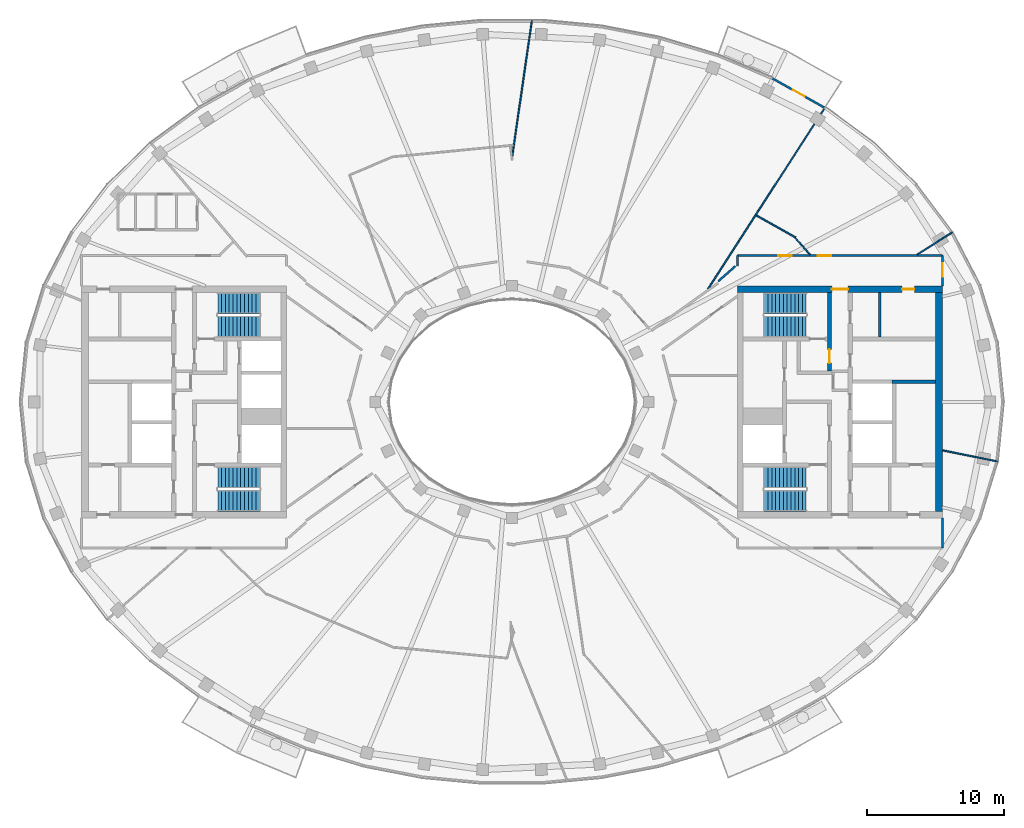
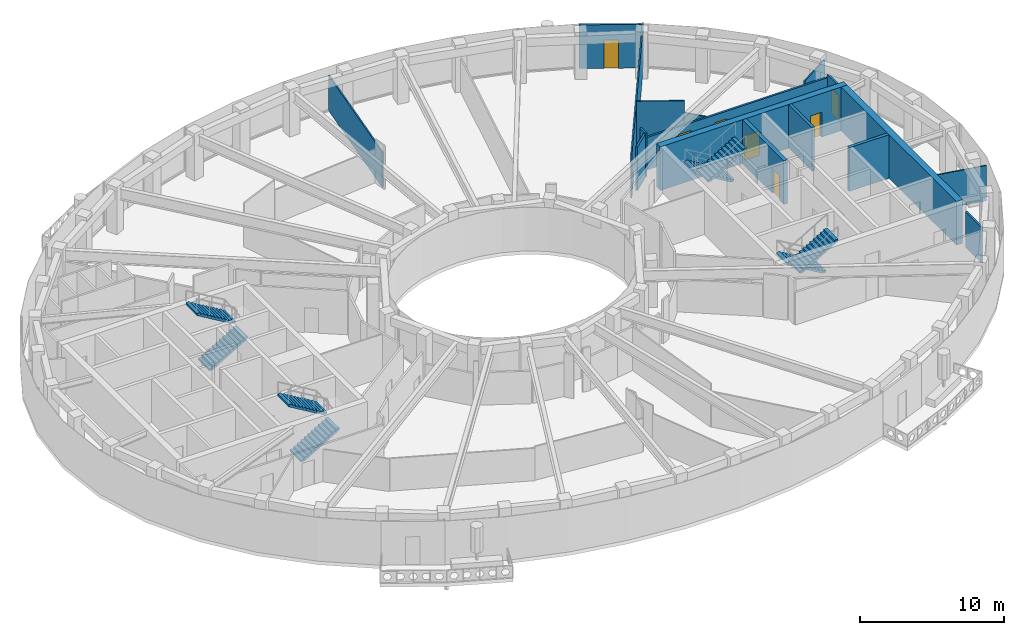
# One storey, part 10 of 18: 17 walls, 8 stair flights, 7 doors, 7 openings, 4 elements without a shape of their own.
"""IFC4 building model written with IfcOpenShell, lengths in metres."""

import ifcopenshell
import ifcopenshell.guid

model = None  # the IFC model being written
_history = None  # IfcOwnerHistory: only IFC2X3 demands one
_inside = {}  # id of a spatial element -> (the spatial element, [elements in it])
_under = {}  # id of a project, library or spatial element -> (it, [spatial elements below it])
_declared = {}  # id of a project -> (the project, [libraries it declares])
_typed = {}  # id of a type object -> (the type object, [elements of that type])
_made_of = {}  # id of a material, layer set ... -> (it, [elements and type objects made of it])


def new_model(schema):
    """Start an empty IFC model of exactly this schema.

    Asked for "IFC4X3", IfcOpenShell would pick the latest addendum, in which some entities
    have other attributes; the version numbers below select the first issue.
    IFC2X3 requires an IfcOwnerHistory on every rooted entity: one is made here for all.
    """
    global model, _history
    if schema == "IFC4X3":
        model = ifcopenshell.file(schema_version=(4, 3, 0, 0))
    else:
        model = ifcopenshell.file(schema=schema)
    _inside.clear()
    _under.clear()
    _declared.clear()
    _typed.clear()
    _made_of.clear()
    _history = None
    if model.schema == "IFC2X3":
        org = make("IfcOrganization", Name="unknown")
        user = make(
            "IfcPersonAndOrganization",
            ThePerson=make("IfcPerson", FamilyName="unknown"),
            TheOrganization=org,
        )
        app = make(
            "IfcApplication",
            ApplicationDeveloper=org,
            Version="unknown",
            ApplicationFullName="unknown",
            ApplicationIdentifier="unknown",
        )
        _history = make(
            "IfcOwnerHistory",
            OwningUser=user,
            OwningApplication=app,
            ChangeAction="ADDED",
            CreationDate=0,
        )
    return model


def make(cls, **values):
    """One entity of the class cls with the attributes given. An attribute that is None is left unset."""
    return model.create_entity(
        cls, **{name: value for name, value in values.items() if value is not None}
    )


def rooted(cls, **values):
    """An entity with a GlobalId (a new one), such as an element, a storey or a relation."""
    return make(cls, GlobalId=ifcopenshell.guid.new(), OwnerHistory=_history, **values)


def si_unit(unit_type, name, prefix=None):
    """IfcSIUnit, for example si_unit("LENGTHUNIT", "METRE", prefix="MILLI")."""
    return make("IfcSIUnit", UnitType=unit_type, Prefix=prefix, Name=name)


def assignment(units):
    """IfcUnitAssignment: the units of a project."""
    return None if units is None else make("IfcUnitAssignment", Units=units)


def point(xyz):
    """IfcCartesianPoint."""
    return None if xyz is None else make("IfcCartesianPoint", Coordinates=xyz)


def direction(xyz):
    """IfcDirection."""
    return None if xyz is None else make("IfcDirection", DirectionRatios=xyz)


def frame(location, z_axis=None, x_axis=None):
    """IfcAxis2Placement3D, a coordinate frame: its origin and axes. An axis left out is left unset."""
    return make(
        "IfcAxis2Placement3D",
        Location=point(location),
        Axis=direction(z_axis),
        RefDirection=direction(x_axis),
    )


def frame_2d(location, x_axis=None):
    """IfcAxis2Placement2D, a coordinate frame in the plane: its origin and x axis."""
    return make(
        "IfcAxis2Placement2D", Location=point(location), RefDirection=direction(x_axis)
    )


def origin():
    """The frame at (0, 0, 0) with its axes left unset."""
    return frame((0.0, 0.0, 0.0))


def place(relative_to, where):
    """IfcLocalPlacement: puts the frame where relative to a parent placement (None: the world)."""
    return make(
        "IfcLocalPlacement", PlacementRelTo=relative_to, RelativePlacement=where
    )


def context(
    kind, dimensions, precision=None, world=None, true_north=None, identifier=None
):
    """IfcGeometricRepresentationContext, for example the 3D "Model" context."""
    return make(
        "IfcGeometricRepresentationContext",
        ContextIdentifier=identifier,
        ContextType=kind,
        CoordinateSpaceDimension=dimensions,
        Precision=precision,
        WorldCoordinateSystem=world,
        TrueNorth=true_north,
    )


def subcontext(parent, identifier, kind, view, scale=None):
    """IfcGeometricRepresentationSubContext, for example "Body" below "Model"."""
    return make(
        "IfcGeometricRepresentationSubContext",
        ContextIdentifier=identifier,
        ContextType=kind,
        ParentContext=parent,
        TargetScale=scale,
        TargetView=view,
    )


def project(units=None, contexts=None):
    """IfcProject with its units and contexts."""
    return rooted(
        "IfcProject",
        Name="project",
        RepresentationContexts=contexts,
        UnitsInContext=assignment(units),
    )


def spatial(cls, under=None, at=None, **own):
    """A site, building, storey or space (cls), placed at a placement, below another one or the project."""
    s = rooted(cls, ObjectPlacement=at, **own)
    if under is not None:
        _under.setdefault(under.id(), (under, []))[1].append(s)
    return s


def polyline(points):
    """IfcPolyline through the points."""
    return make("IfcPolyline", Points=[point(p) for p in points])


def profile(cls, at=None, kind="AREA", **sizes):
    """A parametric profile (cls). Its sizes go by their IFC names, for example OverallWidth=200.0."""
    return make(cls, ProfileType=kind, Position=at, **sizes)


def rectangle(**sizes):
    """IfcRectangleProfileDef."""
    return profile("IfcRectangleProfileDef", **sizes)


def outline(outer, holes=None, kind="AREA"):
    """IfcArbitraryClosedProfileDef: a profile drawn as a closed curve; with holes, ...WithVoids."""
    if holes is None:
        return make("IfcArbitraryClosedProfileDef", ProfileType=kind, OuterCurve=outer)
    return make(
        "IfcArbitraryProfileDefWithVoids",
        ProfileType=kind,
        OuterCurve=outer,
        InnerCurves=holes,
    )


def extrude(swept, where, along, depth):
    """IfcExtrudedAreaSolid: the profile swept, set in the frame where, extruded along a direction by depth."""
    return make(
        "IfcExtrudedAreaSolid",
        SweptArea=swept,
        Position=where,
        ExtrudedDirection=direction(along),
        Depth=depth,
    )


def shape(context_of_items, identifier, shape_type, items):
    """IfcShapeRepresentation: the items that make up one representation, for example the "Body"."""
    return make(
        "IfcShapeRepresentation",
        ContextOfItems=context_of_items,
        RepresentationIdentifier=identifier,
        RepresentationType=shape_type,
        Items=items,
    )


def material(Name=None, Category=None):
    """IfcMaterial."""
    return make("IfcMaterial", Name=Name, Category=Category)


def layer(
    of_material, thickness, ventilated=None, Name=None, Category=None, Priority=None
):
    """IfcMaterialLayer: one layer of a wall or slab, of a material (None: an air gap)."""
    return make(
        "IfcMaterialLayer",
        Material=of_material,
        LayerThickness=thickness,
        IsVentilated=ventilated,
        Name=Name,
        Category=Category,
        Priority=Priority,
    )


def layer_set(layers, Name=None):
    """IfcMaterialLayerSet."""
    return make("IfcMaterialLayerSet", MaterialLayers=layers, LayerSetName=Name)


def made_of(thing, what):
    """Note that an element or type object is made of a material, layer set ...; save() writes the relation."""
    if what is not None:
        _made_of.setdefault(what.id(), (what, []))[1].append(thing)
    return thing


def type_object(cls, material=None, **own):
    """A type object (cls), such as IfcWallType, which elements share."""
    return made_of(rooted(cls, **own), material)


def element(
    cls,
    number,
    at=None,
    inside=None,
    cuts=None,
    type_object=None,
    material=None,
    context=None,
    identifier="Body",
    shape_type=None,
    held_by="IfcProductDefinitionShape",
    body=None,
    shapes=None,
    **own,
):
    """One element of the class cls, such as IfcWall. Its Tag is "e" and its number.

    at: its placement. inside: the storey or other place that contains it. cuts: it is an
    opening in that element (IfcRelVoidsElement). A single representation is given by context,
    identifier, shape_type and body (its items); several are given by shapes. held_by: the class
    of the entity that holds the representations. save() writes the other relations.
    """
    e = rooted(cls, Tag="e%d" % number, ObjectPlacement=at, **own)
    if body is not None:
        shapes = [shape(context, identifier, shape_type, body)]
    if shapes is not None:
        e.Representation = make(held_by, Representations=shapes)
    if inside is not None:
        _inside.setdefault(inside.id(), (inside, []))[1].append(e)
    if cuts is not None:
        rooted(
            "IfcRelVoidsElement", RelatingBuildingElement=cuts, RelatedOpeningElement=e
        )
    if type_object is not None:
        _typed.setdefault(type_object.id(), (type_object, []))[1].append(e)
    return made_of(e, material)


def fill(opening, filler):
    """IfcRelFillsElement: the door or window that sits in an opening."""
    return rooted(
        "IfcRelFillsElement",
        RelatingOpeningElement=opening,
        RelatedBuildingElement=filler,
    )


def aggregate(whole, parts):
    """IfcRelAggregates: a whole, such as a stair, and the parts it consists of."""
    return rooted("IfcRelAggregates", RelatingObject=whole, RelatedObjects=parts)


def save(model, path):
    """Write the relations noted so far, then the file.

    IfcRelAggregates (storeys below a building ...), IfcRelContainedInSpatialStructure (elements
    in a storey), IfcRelDefinesByType, IfcRelAssociatesMaterial and IfcRelDeclares: one each for
    every whole, place, type object, material and project.
    """
    for whole, parts in _under.values():
        aggregate(whole, parts)
    for where, things in _inside.values():
        rooted(
            "IfcRelContainedInSpatialStructure",
            RelatedElements=things,
            RelatingStructure=where,
        )
    for kind, things in _typed.values():
        rooted("IfcRelDefinesByType", RelatedObjects=things, RelatingType=kind)
    for what, things in _made_of.values():
        rooted("IfcRelAssociatesMaterial", RelatedObjects=things, RelatingMaterial=what)
    for by, libraries in _declared.values():
        rooted("IfcRelDeclares", RelatingContext=by, RelatedDefinitions=libraries)
    model.write(path)


model = new_model("IFC4")

# Units and contexts
model_context = context("Model", 3, precision=1e-05, world=origin(), true_north=direction((0.0, 1.0)))
body_context = subcontext(model_context, "Body", "Model", "MODEL_VIEW")
ifc_project = project(units=[si_unit("LENGTHUNIT", "METRE"), si_unit("AREAUNIT", "SQUARE_METRE"), si_unit("VOLUMEUNIT", "CUBIC_METRE"), si_unit("PLANEANGLEUNIT", "RADIAN"), si_unit("MASSUNIT", "GRAM", prefix="KILO")], contexts=[model_context])

# Site, building, storey
site_placement = place(None, origin())
site = spatial("IfcSite", under=ifc_project, at=site_placement, CompositionType="ELEMENT")
building_placement = place(site_placement, origin())
building = spatial("IfcBuilding", under=site, at=building_placement, Name="Noorbagh Ring Tower", CompositionType="ELEMENT")
storey_placement = place(building_placement, frame((0.0, 0.0, 319.0)))
storey = spatial("IfcBuildingStorey", under=building, at=storey_placement, Name="L69", CompositionType="ELEMENT", Elevation=319.0)

# Walls
ifc_material_1 = material(Name="Gypsum board on steel studs", Category="steel")
ifc_layer_1 = layer(ifc_material_1, 0.199951171875)
ifc_layer_set_1 = layer_set([ifc_layer_1], Name="Gypsum board on steel studs")
wall_type_1 = type_object("IfcWallType", Name="CORE-PARTITION-200", PredefinedType="PARTITIONING", material=ifc_layer_set_1)
wall_1_placement = place(storey_placement, frame((26.89990234375, 4.75, 0.0), z_axis=(0.0, 0.0, 1.0), x_axis=(0.0, 1.0, 0.0)))
element("IfcWall", 1, at=wall_1_placement, inside=storey, type_object=wall_type_1, Name="Core partition E", PredefinedType="PARTITIONING", context=body_context, shape_type="SweptSolid", body=[
    extrude(rectangle(XDim=3.25, YDim=0.199951171875, at=frame_2d((1.625, 0.0))), origin(), (0.0, 0.0, 1.0), 3.699951171875),
])
ifc_material_2 = material(Name="Concrete C50/60", Category="concrete")
ifc_layer_2 = layer(ifc_material_2, 0.25)
ifc_layer_set_2 = layer_set([ifc_layer_2], Name="Concrete C50/60")
wall_type_2 = type_object("IfcWallType", Name="CORE-WALL-250-C50-60-EI120", PredefinedType="SHEAR", material=ifc_layer_set_2)
wall_2_placement = place(storey_placement, frame((27.800048828125, 1.47509765625, 0.0), z_axis=(0.0, 0.0, 1.0), x_axis=(1.0, 0.0, 0.0)))
element("IfcWall", 2, at=wall_2_placement, inside=storey, type_object=wall_type_2, Name="Core wall E", PredefinedType="SHEAR", context=body_context, shape_type="SweptSolid", body=[
    extrude(rectangle(XDim=3.199951171875, YDim=0.25, at=frame_2d((1.60009765625, 0.0))), origin(), (0.0, 0.0, 1.0), 3.699951171875),
])

# Wall, opening, door
ifc_material_3 = material(Name="Concrete C50/60", Category="concrete")
ifc_layer_3 = layer(ifc_material_3, 0.300048828125)
ifc_layer_set_3 = layer_set([ifc_layer_3], Name="Concrete C50/60")
wall_type_3 = type_object("IfcWallType", Name="CORE-WALL-300-C50-60-EI240", PredefinedType="SHEAR", material=ifc_layer_set_3)
wall_3_placement = place(storey_placement, frame((23.22998046875, 2.25, 0.0), z_axis=(0.0, 0.0, 1.0), x_axis=(0.0, 1.0, 0.0)))
wall_3 = element("IfcWall", 3, at=wall_3_placement, inside=storey, type_object=wall_type_3, Name="Core wall E", PredefinedType="SHEAR", context=body_context, shape_type="SweptSolid", body=[
    extrude(rectangle(XDim=5.75, YDim=0.300048828125, at=frame_2d((2.875, 0.0))), origin(), (0.0, 0.0, 1.0), 3.699951171875),
])
opening_1_placement = place(wall_3_placement, frame((0.60009765625, 0.0, 0.0)))
opening_1 = element("IfcOpeningElement", 4, at=opening_1_placement, cuts=wall_3, Name="Opening L69-CE07", PredefinedType="OPENING", context=body_context, shape_type="SweptSolid", body=[
    extrude(rectangle(XDim=1.0, YDim=2.10009765625, at=frame_2d((0.5, 1.050048828125))), frame((0.0, 0.16015625, 0.0), z_axis=(0.0, -1.0, 0.0), x_axis=(1.0, 0.0, 0.0)), (0.0, 0.0, 1.0), 0.320068359375),
])
ifc_material_4 = material(Name="Steel door leaf", Category="steel")
door_type_1 = type_object("IfcDoorType", Name="CORE-DOOR-DVEST", OperationType="SINGLE_SWING_LEFT", PredefinedType="DOOR", material=ifc_material_4)
door_1_placement = place(opening_1_placement, origin())
door_1 = element("IfcDoor", 5, at=door_1_placement, inside=storey, type_object=door_type_1, Name="Stair vestibule door L69-CE07", OperationType="SINGLE_SWING_RIGHT", OverallHeight=2.10009765625, OverallWidth=1.0, PredefinedType="DOOR", context=body_context, shape_type="SweptSolid", body=[
    extrude(rectangle(XDim=1.0, YDim=2.10009765625, at=frame_2d((0.5, 1.050048828125))), frame((0.0, 0.02490234375, 0.0), z_axis=(0.0, -1.0, 0.0), x_axis=(1.0, 0.0, 0.0)), (0.0, 0.0, 1.0), 0.050048828125),
])
fill(opening_1, door_1)

# Wall, openings, doors
ifc_material_5 = material(Name="Concrete C50/60", Category="concrete")
ifc_layer_4 = layer(ifc_material_5, 0.5)
ifc_layer_set_4 = layer_set([ifc_layer_4], Name="Concrete C50/60")
wall_type_4 = type_object("IfcWallType", Name="CORE-WALL-500-C50-60-EI240", PredefinedType="SHEAR", material=ifc_layer_set_4)
wall_4_placement = place(storey_placement, frame((16.5, 8.25, 0.0), z_axis=(0.0, 0.0, 1.0), x_axis=(1.0, 0.0, 0.0)))
wall_4 = element("IfcWall", 6, at=wall_4_placement, inside=storey, type_object=wall_type_4, Name="Core wall E", PredefinedType="SHEAR", context=body_context, shape_type="SweptSolid", body=[
    extrude(rectangle(XDim=15.0, YDim=0.5, at=frame_2d((7.5, 0.0))), origin(), (0.0, 0.0, 1.0), 3.699951171875),
])
opening_2_placement = place(wall_4_placement, frame((6.89990234375, 0.0, 0.0)))
opening_2 = element("IfcOpeningElement", 7, at=opening_2_placement, cuts=wall_4, Name="Opening L69-CE08", PredefinedType="OPENING", context=body_context, shape_type="SweptSolid", body=[
    extrude(rectangle(XDim=1.199951171875, YDim=2.10009765625, at=frame_2d((0.60009765625, 1.050048828125))), frame((0.0, 0.260009765625, 0.0), z_axis=(0.0, -1.0, 0.0), x_axis=(1.0, 0.0, 0.0)), (0.0, 0.0, 1.0), 0.52001953125),
])
opening_3_placement = place(wall_4_placement, frame((12.050048828125, 0.0, 0.0)))
opening_3 = element("IfcOpeningElement", 8, at=opening_3_placement, cuts=wall_4, Name="Opening L69-CE13", PredefinedType="OPENING", context=body_context, shape_type="SweptSolid", body=[
    extrude(rectangle(XDim=0.89990234375, YDim=2.10009765625, at=frame_2d((0.449951171875, 1.050048828125))), frame((0.0, 0.260009765625, 0.0), z_axis=(0.0, -1.0, 0.0), x_axis=(1.0, 0.0, 0.0)), (0.0, 0.0, 1.0), 0.52001953125),
])
ifc_material_6 = material(Name="Steel door leaf", Category="steel")
door_type_2 = type_object("IfcDoorType", Name="CORE-DOOR-DROOM", OperationType="SINGLE_SWING_LEFT", PredefinedType="DOOR", material=ifc_material_6)
door_2_placement = place(opening_3_placement, origin())
door_2 = element("IfcDoor", 9, at=door_2_placement, inside=storey, type_object=door_type_2, Name="Core room door L69-CE13", OperationType="SINGLE_SWING_LEFT", OverallHeight=2.10009765625, OverallWidth=0.89990234375, PredefinedType="DOOR", context=body_context, shape_type="SweptSolid", body=[
    extrude(rectangle(XDim=0.89990234375, YDim=2.10009765625, at=frame_2d((0.449951171875, 1.050048828125))), frame((0.0, 0.02490234375, 0.0), z_axis=(0.0, -1.0, 0.0), x_axis=(1.0, 0.0, 0.0)), (0.0, 0.0, 1.0), 0.050048828125),
])
fill(opening_3, door_2)
ifc_material_7 = material(Name="Steel door leaf", Category="steel")
door_type_3 = type_object("IfcDoorType", Name="CORE-DOOR-PORT", OperationType="DOUBLE_DOOR_DOUBLE_SWING", PredefinedType="DOOR", material=ifc_material_7)
door_3_placement = place(opening_2_placement, origin())
door_3 = element("IfcDoor", 10, at=door_3_placement, inside=storey, type_object=door_type_3, Name="Core entrance door L69-CE08", OperationType="DOUBLE_DOOR_DOUBLE_SWING", OverallHeight=2.10009765625, OverallWidth=1.199951171875, PredefinedType="DOOR", context=body_context, shape_type="SweptSolid", body=[
    extrude(rectangle(XDim=1.199951171875, YDim=2.10009765625, at=frame_2d((0.60009765625, 1.050048828125))), frame((0.0, 0.02490234375, 0.0), z_axis=(0.0, -1.0, 0.0), x_axis=(1.0, 0.0, 0.0)), (0.0, 0.0, 1.0), 0.050048828125),
])
fill(opening_2, door_3)

# Walls
wall_5_placement = place(storey_placement, frame((31.25, -8.0, 0.0), z_axis=(0.0, 0.0, 1.0), x_axis=(0.0, 1.0, 0.0)))
element("IfcWall", 11, at=wall_5_placement, inside=storey, type_object=wall_type_4, Name="Core wall E", PredefinedType="SHEAR", context=body_context, shape_type="SweptSolid", body=[
    extrude(rectangle(XDim=16.0, YDim=0.5, at=frame_2d((8.0, 0.0))), origin(), (0.0, 0.0, 1.0), 3.699951171875),
])
ifc_material_8 = material(Name="Gypsum board on steel studs", Category="steel")
ifc_layer_5 = layer(ifc_material_8, 0.14990234375)
ifc_layer_set_5 = layer_set([ifc_layer_5], Name="Gypsum board on steel studs")
wall_type_5 = type_object("IfcWallType", Name="CORRIDOR PARTITION 150 EI 30", PredefinedType="PARTITIONING", material=ifc_layer_set_5)
wall_6_placement = place(storey_placement, frame((16.5, 9.964111328125, 0.0), z_axis=(0.0, 0.0, 1.0), x_axis=(0.0, 1.0, 0.0)))
element("IfcWall", 12, at=wall_6_placement, inside=storey, type_object=wall_type_5, Name="L69/wall/P78", PredefinedType="PARTITIONING", context=body_context, shape_type="SweptSolid", body=[
    extrude(rectangle(XDim=0.73583984375, YDim=0.14990234375, at=frame_2d((0.367919921875, 0.0))), origin(), (0.0, 0.0, 1.0), 3.699951171875),
])

# Wall, openings, doors
wall_7_placement = place(storey_placement, frame((16.5, 10.699951171875, 0.0), z_axis=(0.0, 0.0, 1.0), x_axis=(1.0, 0.0, 0.0)))
wall_7 = element("IfcWall", 13, at=wall_7_placement, inside=storey, type_object=wall_type_5, Name="L69/wall/P79", PredefinedType="PARTITIONING", context=body_context, shape_type="SweptSolid", body=[
    extrude(rectangle(XDim=15.0, YDim=0.14990234375, at=frame_2d((7.5, 0.0))), origin(), (0.0, 0.0, 1.0), 2.75),
])
opening_4_placement = place(wall_7_placement, frame((2.97509765625, 0.0, 0.0)))
opening_4 = element("IfcOpeningElement", 14, at=opening_4_placement, cuts=wall_7, Name="Opening D1", PredefinedType="OPENING", context=body_context, shape_type="SweptSolid", body=[
    extrude(rectangle(XDim=1.0, YDim=2.10009765625, at=frame_2d((0.5, 1.050048828125))), frame((0.0, 0.0849609375, 0.0), z_axis=(0.0, -1.0, 0.0), x_axis=(1.0, 0.0, 0.0)), (0.0, 0.0, 1.0), 0.169921875),
])
opening_5_placement = place(wall_7_placement, frame((5.87109375, 0.0, 0.0)))
opening_5 = element("IfcOpeningElement", 15, at=opening_5_placement, cuts=wall_7, Name="Opening D1", PredefinedType="OPENING", context=body_context, shape_type="SweptSolid", body=[
    extrude(rectangle(XDim=1.0, YDim=2.10009765625, at=frame_2d((0.5, 1.050048828125))), frame((0.0, 0.0849609375, 0.0), z_axis=(0.0, -1.0, 0.0), x_axis=(1.0, 0.0, 0.0)), (0.0, 0.0, 1.0), 0.169921875),
])
ifc_material_9 = material(Name="Timber, painted", Category="wood")
door_type_4 = type_object("IfcDoorType", Name="DOOR 1000 X 2100 FD30", OperationType="SINGLE_SWING_LEFT", PredefinedType="DOOR", material=ifc_material_9)
door_4_placement = place(opening_4_placement, origin())
door_4 = element("IfcDoor", 16, at=door_4_placement, inside=storey, type_object=door_type_4, Name="L69-D13", OperationType="SINGLE_SWING_LEFT", OverallHeight=2.10009765625, OverallWidth=1.0, PredefinedType="DOOR", context=body_context, shape_type="SweptSolid", body=[
    extrude(rectangle(XDim=1.0, YDim=2.10009765625, at=frame_2d((0.5, 1.050048828125))), frame((0.0, 0.02490234375, 0.0), z_axis=(0.0, -1.0, 0.0), x_axis=(1.0, 0.0, 0.0)), (0.0, 0.0, 1.0), 0.050048828125),
])
fill(opening_4, door_4)
door_5_placement = place(opening_5_placement, origin())
door_5 = element("IfcDoor", 17, at=door_5_placement, inside=storey, type_object=door_type_4, Name="L69-D14", OperationType="SINGLE_SWING_RIGHT", OverallHeight=2.10009765625, OverallWidth=1.0, PredefinedType="DOOR", context=body_context, shape_type="SweptSolid", body=[
    extrude(rectangle(XDim=1.0, YDim=2.10009765625, at=frame_2d((0.5, 1.050048828125))), frame((0.0, 0.02490234375, 0.0), z_axis=(0.0, -1.0, 0.0), x_axis=(1.0, 0.0, 0.0)), (0.0, 0.0, 1.0), 0.050048828125),
])
fill(opening_5, door_5)

# Wall
wall_8_placement = place(storey_placement, frame((31.5, -10.699951171875, 0.0), z_axis=(0.0, 0.0, 1.0), x_axis=(0.0, 1.0, 0.0)))
element("IfcWall", 18, at=wall_8_placement, inside=storey, type_object=wall_type_5, Name="L69/wall/P84", PredefinedType="PARTITIONING", context=body_context, shape_type="SweptSolid", body=[
    extrude(rectangle(XDim=2.199951171875, YDim=0.14990234375, at=frame_2d((1.10009765625, 0.0))), origin(), (0.0, 0.0, 1.0), 3.0),
])

# Wall, opening, door
wall_9_placement = place(storey_placement, frame((31.5, 8.5, 0.0), z_axis=(0.0, 0.0, 1.0), x_axis=(0.0, 1.0, 0.0)))
wall_9 = element("IfcWall", 19, at=wall_9_placement, inside=storey, type_object=wall_type_5, Name="L69/wall/P86", PredefinedType="PARTITIONING", context=body_context, shape_type="SweptSolid", body=[
    extrude(rectangle(XDim=2.199951171875, YDim=0.14990234375, at=frame_2d((1.10009765625, 0.0))), origin(), (0.0, 0.0, 1.0), 3.0),
])
opening_6_placement = place(wall_9_placement, frame((0.64990234375, 0.0, 0.0)))
opening_6 = element("IfcOpeningElement", 20, at=opening_6_placement, cuts=wall_9, Name="Opening D1", PredefinedType="OPENING", context=body_context, shape_type="SweptSolid", body=[
    extrude(rectangle(XDim=1.0, YDim=2.10009765625, at=frame_2d((0.5, 1.050048828125))), frame((0.0, 0.0849609375, 0.0), z_axis=(0.0, -1.0, 0.0), x_axis=(1.0, 0.0, 0.0)), (0.0, 0.0, 1.0), 0.169921875),
])
door_6_placement = place(opening_6_placement, origin())
door_6 = element("IfcDoor", 21, at=door_6_placement, inside=storey, type_object=door_type_4, Name="L69-D16", OperationType="SINGLE_SWING_RIGHT", OverallHeight=2.10009765625, OverallWidth=1.0, PredefinedType="DOOR", context=body_context, shape_type="SweptSolid", body=[
    extrude(rectangle(XDim=1.0, YDim=2.10009765625, at=frame_2d((0.5, 1.050048828125))), frame((0.0, 0.02490234375, 0.0), z_axis=(0.0, -1.0, 0.0), x_axis=(1.0, 0.0, 0.0)), (0.0, 0.0, 1.0), 0.050048828125),
])
fill(opening_6, door_6)

# Wall
wall_10_placement = place(storey_placement, frame((15.090087890625, 8.8310546875, 0.0), z_axis=(0.0, 0.0, 1.0), x_axis=(0.750621325629, 0.660732642989, 0.0)))
element("IfcWall", 22, at=wall_10_placement, inside=storey, type_object=wall_type_5, Name="L69/wall/P90", PredefinedType="PARTITIONING", context=body_context, shape_type="SweptSolid", body=[
    extrude(rectangle(XDim=1.68115234375, YDim=0.14990234375, at=frame_2d((0.840576171875, 0.0))), origin(), (0.0, 0.0, 1.0), 3.699951171875),
])

# Wall, opening, door
ifc_material_10 = material(Name="Insulated aluminium clad panel", Category="aluminium")
ifc_layer_6 = layer(ifc_material_10, 0.14990234375)
ifc_layer_set_6 = layer_set([ifc_layer_6], Name="Insulated aluminium clad panel")
wall_type_6 = type_object("IfcWallType", Name="ENV-WALL-DOOR", PredefinedType="STANDARD", material=ifc_layer_set_6)
wall_11_placement = place(storey_placement, frame((22.913330078125, 21.508544921875, 0.0), z_axis=(0.0, 0.0, 1.0), x_axis=(-0.872046572975, 0.489422899509, 0.0)))
wall_11 = element("IfcWall", 23, at=wall_11_placement, inside=storey, type_object=wall_type_6, Name="Balcony door wall chord 07", PredefinedType="STANDARD", context=body_context, shape_type="SweptSolid", body=[
    extrude(rectangle(XDim=4.425537109375, YDim=0.14990234375, at=frame_2d((2.212890625, 0.0))), origin(), (0.0, 0.0, 1.0), 3.699951171875),
])
opening_7_placement = place(wall_11_placement, frame((1.712646484375, 0.0, 0.0)))
opening_7 = element("IfcOpeningElement", 24, at=opening_7_placement, cuts=wall_11, Name="Opening D-BL", PredefinedType="OPENING", context=body_context, shape_type="SweptSolid", body=[
    extrude(rectangle(XDim=1.0, YDim=2.39990234375, at=frame_2d((0.5, 1.199951171875))), frame((0.0, 0.0849609375, 0.0), z_axis=(0.0, -1.0, 0.0), x_axis=(1.0, 0.0, 0.0)), (0.0, 0.0, 1.0), 0.169921875),
])
ifc_material_11 = material(Name="Aluminium and glass", Category="aluminium")
door_type_5 = type_object("IfcDoorType", Name="ENV-DOOR-BALCONY", OperationType="SINGLE_SWING_LEFT", PredefinedType="DOOR", material=ifc_material_11)
door_7_placement = place(opening_7_placement, origin())
door_7 = element("IfcDoor", 25, at=door_7_placement, inside=storey, type_object=door_type_5, Name="Balcony door chord 07", OperationType="SINGLE_SWING_RIGHT", OverallHeight=2.39990234375, OverallWidth=1.0, PredefinedType="DOOR", context=body_context, shape_type="SweptSolid", body=[
    extrude(rectangle(XDim=1.0, YDim=2.39990234375, at=frame_2d((0.5, 1.199951171875))), frame((0.0, 0.02490234375, 0.0), z_axis=(0.0, -1.0, 0.0), x_axis=(1.0, 0.0, 0.0)), (0.0, 0.0, 1.0), 0.050048828125),
])
fill(opening_7, door_7)

# Walls
ifc_material_12 = material(Name="Gypsum board on steel studs", Category="steel")
ifc_layer_7 = layer(ifc_material_12, 0.10009765625)
ifc_layer_set_7 = layer_set([ifc_layer_7], Name="Gypsum board on steel studs")
wall_type_7 = type_object("IfcWallType", Name="PARTITION 100 GYPSUM", PredefinedType="PARTITIONING", material=ifc_layer_set_7)
wall_12_placement = place(storey_placement, frame((0.01904296875, 17.98095703125, 0.0), z_axis=(0.0, 0.0, 1.0), x_axis=(0.143055737962, 0.989714633536, 0.0)))
element("IfcWall", 26, at=wall_12_placement, inside=storey, type_object=wall_type_7, Name="L69/wall/P52", PredefinedType="PARTITIONING", context=body_context, shape_type="SweptSolid", body=[
    extrude(rectangle(XDim=10.01611328125, YDim=0.10009765625, at=frame_2d((5.008056640625, 0.0))), origin(), (0.0, 0.0, 1.0), 3.0),
])
wall_13_placement = place(storey_placement, frame((14.330078125, 8.256103515625, 0.0), z_axis=(0.0, 0.0, 1.0), x_axis=(0.542279133869, 0.840198393816, 0.0)))
element("IfcWall", 27, at=wall_13_placement, inside=storey, type_object=wall_type_7, Name="L69/wall/P75", PredefinedType="PARTITIONING", context=body_context, shape_type="SweptSolid", body=[
    extrude(rectangle(XDim=15.812744140625, YDim=0.10009765625, at=frame_2d((7.90625, 0.0))), origin(), (0.0, 0.0, 1.0), 3.699951171875),
])
wall_14_placement = place(storey_placement, frame((17.8740234375, 13.653076171875, 0.0), z_axis=(0.0, 0.0, 1.0), x_axis=(0.871459194926, -0.490468012799, 0.0)))
element("IfcWall", 28, at=wall_14_placement, inside=storey, type_object=wall_type_7, Name="L69/wall/P80", PredefinedType="PARTITIONING", context=body_context, shape_type="SweptSolid", body=[
    extrude(rectangle(XDim=3.30712890625, YDim=0.10009765625, at=frame_2d((1.653564453125, 0.0))), origin(), (0.0, 0.0, 1.0), 3.699951171875),
])
wall_15_placement = place(storey_placement, frame((20.72705078125, 11.993896484375, 0.0), z_axis=(0.0, 0.0, 1.0), x_axis=(0.663507744466, -0.748169414661, 0.0)))
element("IfcWall", 29, at=wall_15_placement, inside=storey, type_object=wall_type_7, Name="L69/wall/P81", PredefinedType="PARTITIONING", context=body_context, shape_type="SweptSolid", body=[
    extrude(rectangle(XDim=1.62939453125, YDim=0.10009765625, at=frame_2d((0.814697265625, 0.0))), origin(), (0.0, 0.0, 1.0), 2.75),
])
wall_16_placement = place(storey_placement, frame((29.636962890625, 10.777099609375, 0.0), z_axis=(0.0, 0.0, 1.0), x_axis=(0.844810627195, 0.535065420467, 0.0)))
element("IfcWall", 30, at=wall_16_placement, inside=storey, type_object=wall_type_7, Name="L69/wall/P83", PredefinedType="PARTITIONING", context=body_context, shape_type="SweptSolid", body=[
    extrude(rectangle(XDim=3.0478515625, YDim=0.10009765625, at=frame_2d((1.52392578125, 0.0))), origin(), (0.0, 0.0, 1.0), 3.0),
])
wall_17_placement = place(storey_placement, frame((31.5, -3.5419921875, 0.0), z_axis=(0.0, 0.0, 1.0), x_axis=(0.980357474535, -0.197228857227, 0.0)))
element("IfcWall", 31, at=wall_17_placement, inside=storey, type_object=wall_type_7, Name="L69/wall/P85", PredefinedType="PARTITIONING", context=body_context, shape_type="SweptSolid", body=[
    extrude(rectangle(XDim=4.09228515625, YDim=0.10009765625, at=frame_2d((2.046142578125, 0.0))), origin(), (0.0, 0.0, 1.0), 3.0),
])

# Stair, stair flights
ifc_material_13 = material(Name="Concrete C40/50", Category="concrete")
stair_type = type_object("IfcStairType", Name="CORE-STAIR", PredefinedType="HALF_TURN_STAIR", material=ifc_material_13)
stair_1_placement = place(storey_placement, origin())
stair_1 = element("IfcStair", 32, at=stair_1_placement, inside=storey, type_object=stair_type, Name="L69 Exit stair ST1", PredefinedType="HALF_TURN_STAIR")
ifc_material_14 = material(Name="Concrete C40/50", Category="concrete")
stair_flight_type = type_object("IfcStairFlightType", Name="CORE-STAIR-FLIGHT", PredefinedType="STRAIGHT", material=ifc_material_14)
stair_flight_1_placement = place(storey_placement, frame((-21.530029296875, 5.52490234375, 0.0), z_axis=(0.0, 0.0, 1.0), x_axis=(1.0, 0.0, 0.0)))
stair_flight_1 = element("IfcStairFlight", 33, at=stair_flight_1_placement, type_object=stair_flight_type, Name="ST1 flight 1", NumberOfRisers=12, NumberOfTreads=11, PredefinedType="STRAIGHT", RiserHeight=0.166666667, TreadLength=0.28, context=body_context, shape_type="SweptSolid", body=[
    extrude(outline(polyline([(0.0, 0.0), (0.0, 0.166748046875), (0.280029296875, 0.166748046875), (0.280029296875, 0.333251953125), (0.56005859375, 0.333251953125), (0.56005859375, 0.5), (0.840087890625, 0.5), (0.840087890625, 0.666748046875), (1.1201171875, 0.666748046875), (1.1201171875, 0.833251953125), (1.39990234375, 0.833251953125), (1.39990234375, 1.0), (1.679931640625, 1.0), (1.679931640625, 1.166748046875), (1.9599609375, 1.166748046875), (1.9599609375, 1.333251953125), (2.239990234375, 1.333251953125), (2.239990234375, 1.5), (2.52001953125, 1.5), (2.52001953125, 1.666748046875), (2.800048828125, 1.666748046875), (2.800048828125, 1.833251953125), (3.080078125, 1.833251953125), (3.080078125, 2.0), (3.080078125, 1.658935546875), (0.29296875, 0.0), (0.0, 0.0)])), frame((0.0, 0.77490234375, 0.0), z_axis=(0.0, -1.0, 0.0), x_axis=(1.0, 0.0, 0.0)), (0.0, 0.0, 1.0), 1.550048828125),
])
stair_flight_2_placement = place(storey_placement, frame((-18.449951171875, 7.22509765625, 2.0), z_axis=(0.0, 0.0, 1.0), x_axis=(-1.0, 0.0, 0.0)))
stair_flight_2 = element("IfcStairFlight", 34, at=stair_flight_2_placement, type_object=stair_flight_type, Name="ST1 flight 2", NumberOfRisers=12, NumberOfTreads=11, PredefinedType="STRAIGHT", RiserHeight=0.166666667, TreadLength=0.28, context=body_context, shape_type="SweptSolid", body=[
    extrude(outline(polyline([(0.0, 0.0), (0.0, 0.166748046875), (0.280029296875, 0.166748046875), (0.280029296875, 0.333251953125), (0.56005859375, 0.333251953125), (0.56005859375, 0.5), (0.840087890625, 0.5), (0.840087890625, 0.666748046875), (1.1201171875, 0.666748046875), (1.1201171875, 0.833251953125), (1.39990234375, 0.833251953125), (1.39990234375, 1.0), (1.679931640625, 1.0), (1.679931640625, 1.166748046875), (1.9599609375, 1.166748046875), (1.9599609375, 1.333251953125), (2.239990234375, 1.333251953125), (2.239990234375, 1.5), (2.52001953125, 1.5), (2.52001953125, 1.666748046875), (2.800048828125, 1.666748046875), (2.800048828125, 1.833251953125), (3.080078125, 1.833251953125), (3.080078125, 2.0), (3.080078125, 1.658935546875), (0.29296875, 0.0), (0.0, 0.0)])), frame((0.0, 0.77490234375, 0.0), z_axis=(0.0, -1.0, 0.0), x_axis=(1.0, 0.0, 0.0)), (0.0, 0.0, 1.0), 1.550048828125),
])
aggregate(stair_1, [stair_flight_1, stair_flight_2])

stair_2_placement = place(storey_placement, origin())
stair_2 = element("IfcStair", 35, at=stair_2_placement, inside=storey, type_object=stair_type, Name="L69 Exit stair ST2", PredefinedType="HALF_TURN_STAIR")
stair_flight_3_placement = place(storey_placement, frame((-21.530029296875, -7.22509765625, 0.0), z_axis=(0.0, 0.0, 1.0), x_axis=(1.0, 0.0, 0.0)))
stair_flight_3 = element("IfcStairFlight", 36, at=stair_flight_3_placement, type_object=stair_flight_type, Name="ST2 flight 1", NumberOfRisers=12, NumberOfTreads=11, PredefinedType="STRAIGHT", RiserHeight=0.166666667, TreadLength=0.28, context=body_context, shape_type="SweptSolid", body=[
    extrude(outline(polyline([(0.0, 0.0), (0.0, 0.166748046875), (0.280029296875, 0.166748046875), (0.280029296875, 0.333251953125), (0.56005859375, 0.333251953125), (0.56005859375, 0.5), (0.840087890625, 0.5), (0.840087890625, 0.666748046875), (1.1201171875, 0.666748046875), (1.1201171875, 0.833251953125), (1.39990234375, 0.833251953125), (1.39990234375, 1.0), (1.679931640625, 1.0), (1.679931640625, 1.166748046875), (1.9599609375, 1.166748046875), (1.9599609375, 1.333251953125), (2.239990234375, 1.333251953125), (2.239990234375, 1.5), (2.52001953125, 1.5), (2.52001953125, 1.666748046875), (2.800048828125, 1.666748046875), (2.800048828125, 1.833251953125), (3.080078125, 1.833251953125), (3.080078125, 2.0), (3.080078125, 1.658935546875), (0.29296875, 0.0), (0.0, 0.0)])), frame((0.0, 0.77490234375, 0.0), z_axis=(0.0, -1.0, 0.0), x_axis=(1.0, 0.0, 0.0)), (0.0, 0.0, 1.0), 1.550048828125),
])
stair_flight_4_placement = place(storey_placement, frame((-18.449951171875, -5.52490234375, 2.0), z_axis=(0.0, 0.0, 1.0), x_axis=(-1.0, 0.0, 0.0)))
stair_flight_4 = element("IfcStairFlight", 37, at=stair_flight_4_placement, type_object=stair_flight_type, Name="ST2 flight 2", NumberOfRisers=12, NumberOfTreads=11, PredefinedType="STRAIGHT", RiserHeight=0.166666667, TreadLength=0.28, context=body_context, shape_type="SweptSolid", body=[
    extrude(outline(polyline([(0.0, 0.0), (0.0, 0.166748046875), (0.280029296875, 0.166748046875), (0.280029296875, 0.333251953125), (0.56005859375, 0.333251953125), (0.56005859375, 0.5), (0.840087890625, 0.5), (0.840087890625, 0.666748046875), (1.1201171875, 0.666748046875), (1.1201171875, 0.833251953125), (1.39990234375, 0.833251953125), (1.39990234375, 1.0), (1.679931640625, 1.0), (1.679931640625, 1.166748046875), (1.9599609375, 1.166748046875), (1.9599609375, 1.333251953125), (2.239990234375, 1.333251953125), (2.239990234375, 1.5), (2.52001953125, 1.5), (2.52001953125, 1.666748046875), (2.800048828125, 1.666748046875), (2.800048828125, 1.833251953125), (3.080078125, 1.833251953125), (3.080078125, 2.0), (3.080078125, 1.658935546875), (0.29296875, 0.0), (0.0, 0.0)])), frame((0.0, 0.77490234375, 0.0), z_axis=(0.0, -1.0, 0.0), x_axis=(1.0, 0.0, 0.0)), (0.0, 0.0, 1.0), 1.550048828125),
])
aggregate(stair_2, [stair_flight_3, stair_flight_4])

stair_3_placement = place(storey_placement, origin())
stair_3 = element("IfcStair", 38, at=stair_3_placement, inside=storey, type_object=stair_type, Name="L69 Exit stair ST3", PredefinedType="HALF_TURN_STAIR")
stair_flight_5_placement = place(storey_placement, frame((21.530029296875, 7.22509765625, 0.0), z_axis=(0.0, 0.0, 1.0), x_axis=(-1.0, 0.0, 0.0)))
stair_flight_5 = element("IfcStairFlight", 39, at=stair_flight_5_placement, type_object=stair_flight_type, Name="ST3 flight 1", NumberOfRisers=12, NumberOfTreads=11, PredefinedType="STRAIGHT", RiserHeight=0.166666667, TreadLength=0.28, context=body_context, shape_type="SweptSolid", body=[
    extrude(outline(polyline([(0.0, 0.0), (0.0, 0.166748046875), (0.280029296875, 0.166748046875), (0.280029296875, 0.333251953125), (0.56005859375, 0.333251953125), (0.56005859375, 0.5), (0.840087890625, 0.5), (0.840087890625, 0.666748046875), (1.1201171875, 0.666748046875), (1.1201171875, 0.833251953125), (1.39990234375, 0.833251953125), (1.39990234375, 1.0), (1.679931640625, 1.0), (1.679931640625, 1.166748046875), (1.9599609375, 1.166748046875), (1.9599609375, 1.333251953125), (2.239990234375, 1.333251953125), (2.239990234375, 1.5), (2.52001953125, 1.5), (2.52001953125, 1.666748046875), (2.800048828125, 1.666748046875), (2.800048828125, 1.833251953125), (3.080078125, 1.833251953125), (3.080078125, 2.0), (3.080078125, 1.658935546875), (0.29296875, 0.0), (0.0, 0.0)])), frame((0.0, 0.77490234375, 0.0), z_axis=(0.0, -1.0, 0.0), x_axis=(1.0, 0.0, 0.0)), (0.0, 0.0, 1.0), 1.550048828125),
])
stair_flight_6_placement = place(storey_placement, frame((18.449951171875, 5.52490234375, 2.0), z_axis=(0.0, 0.0, 1.0), x_axis=(1.0, 0.0, 0.0)))
stair_flight_6 = element("IfcStairFlight", 40, at=stair_flight_6_placement, type_object=stair_flight_type, Name="ST3 flight 2", NumberOfRisers=12, NumberOfTreads=11, PredefinedType="STRAIGHT", RiserHeight=0.166666667, TreadLength=0.28, context=body_context, shape_type="SweptSolid", body=[
    extrude(outline(polyline([(0.0, 0.0), (0.0, 0.166748046875), (0.280029296875, 0.166748046875), (0.280029296875, 0.333251953125), (0.56005859375, 0.333251953125), (0.56005859375, 0.5), (0.840087890625, 0.5), (0.840087890625, 0.666748046875), (1.1201171875, 0.666748046875), (1.1201171875, 0.833251953125), (1.39990234375, 0.833251953125), (1.39990234375, 1.0), (1.679931640625, 1.0), (1.679931640625, 1.166748046875), (1.9599609375, 1.166748046875), (1.9599609375, 1.333251953125), (2.239990234375, 1.333251953125), (2.239990234375, 1.5), (2.52001953125, 1.5), (2.52001953125, 1.666748046875), (2.800048828125, 1.666748046875), (2.800048828125, 1.833251953125), (3.080078125, 1.833251953125), (3.080078125, 2.0), (3.080078125, 1.658935546875), (0.29296875, 0.0), (0.0, 0.0)])), frame((0.0, 0.77490234375, 0.0), z_axis=(0.0, -1.0, 0.0), x_axis=(1.0, 0.0, 0.0)), (0.0, 0.0, 1.0), 1.550048828125),
])
aggregate(stair_3, [stair_flight_5, stair_flight_6])

stair_4_placement = place(storey_placement, origin())
stair_4 = element("IfcStair", 41, at=stair_4_placement, inside=storey, type_object=stair_type, Name="L69 Exit stair ST4", PredefinedType="HALF_TURN_STAIR")
stair_flight_7_placement = place(storey_placement, frame((21.530029296875, -5.52490234375, 0.0), z_axis=(0.0, 0.0, 1.0), x_axis=(-1.0, 0.0, 0.0)))
stair_flight_7 = element("IfcStairFlight", 42, at=stair_flight_7_placement, type_object=stair_flight_type, Name="ST4 flight 1", NumberOfRisers=12, NumberOfTreads=11, PredefinedType="STRAIGHT", RiserHeight=0.166666667, TreadLength=0.28, context=body_context, shape_type="SweptSolid", body=[
    extrude(outline(polyline([(0.0, 0.0), (0.0, 0.166748046875), (0.280029296875, 0.166748046875), (0.280029296875, 0.333251953125), (0.56005859375, 0.333251953125), (0.56005859375, 0.5), (0.840087890625, 0.5), (0.840087890625, 0.666748046875), (1.1201171875, 0.666748046875), (1.1201171875, 0.833251953125), (1.39990234375, 0.833251953125), (1.39990234375, 1.0), (1.679931640625, 1.0), (1.679931640625, 1.166748046875), (1.9599609375, 1.166748046875), (1.9599609375, 1.333251953125), (2.239990234375, 1.333251953125), (2.239990234375, 1.5), (2.52001953125, 1.5), (2.52001953125, 1.666748046875), (2.800048828125, 1.666748046875), (2.800048828125, 1.833251953125), (3.080078125, 1.833251953125), (3.080078125, 2.0), (3.080078125, 1.658935546875), (0.29296875, 0.0), (0.0, 0.0)])), frame((0.0, 0.77490234375, 0.0), z_axis=(0.0, -1.0, 0.0), x_axis=(1.0, 0.0, 0.0)), (0.0, 0.0, 1.0), 1.550048828125),
])
stair_flight_8_placement = place(storey_placement, frame((18.449951171875, -7.22509765625, 2.0), z_axis=(0.0, 0.0, 1.0), x_axis=(1.0, 0.0, 0.0)))
stair_flight_8 = element("IfcStairFlight", 43, at=stair_flight_8_placement, type_object=stair_flight_type, Name="ST4 flight 2", NumberOfRisers=12, NumberOfTreads=11, PredefinedType="STRAIGHT", RiserHeight=0.166666667, TreadLength=0.28, context=body_context, shape_type="SweptSolid", body=[
    extrude(outline(polyline([(0.0, 0.0), (0.0, 0.166748046875), (0.280029296875, 0.166748046875), (0.280029296875, 0.333251953125), (0.56005859375, 0.333251953125), (0.56005859375, 0.5), (0.840087890625, 0.5), (0.840087890625, 0.666748046875), (1.1201171875, 0.666748046875), (1.1201171875, 0.833251953125), (1.39990234375, 0.833251953125), (1.39990234375, 1.0), (1.679931640625, 1.0), (1.679931640625, 1.166748046875), (1.9599609375, 1.166748046875), (1.9599609375, 1.333251953125), (2.239990234375, 1.333251953125), (2.239990234375, 1.5), (2.52001953125, 1.5), (2.52001953125, 1.666748046875), (2.800048828125, 1.666748046875), (2.800048828125, 1.833251953125), (3.080078125, 1.833251953125), (3.080078125, 2.0), (3.080078125, 1.658935546875), (0.29296875, 0.0), (0.0, 0.0)])), frame((0.0, 0.77490234375, 0.0), z_axis=(0.0, -1.0, 0.0), x_axis=(1.0, 0.0, 0.0)), (0.0, 0.0, 1.0), 1.550048828125),
])
aggregate(stair_4, [stair_flight_7, stair_flight_8])

save(model, "model.ifc")
